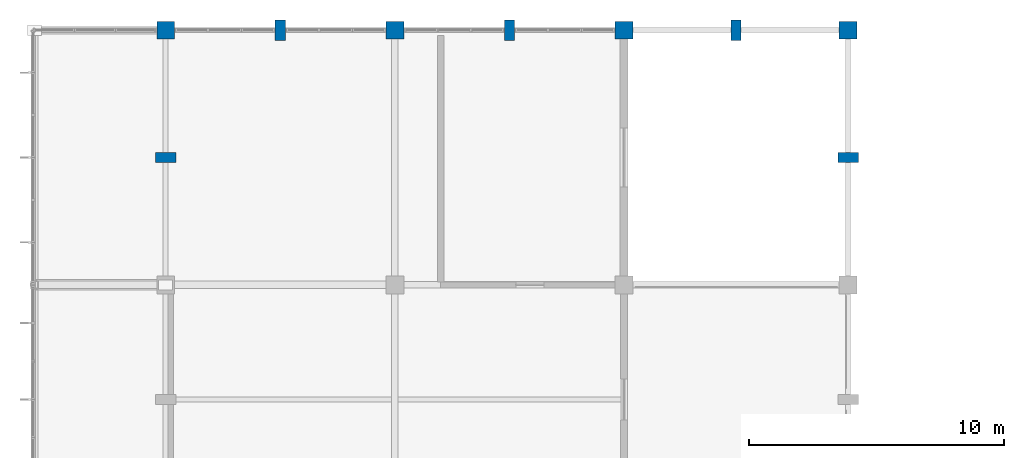
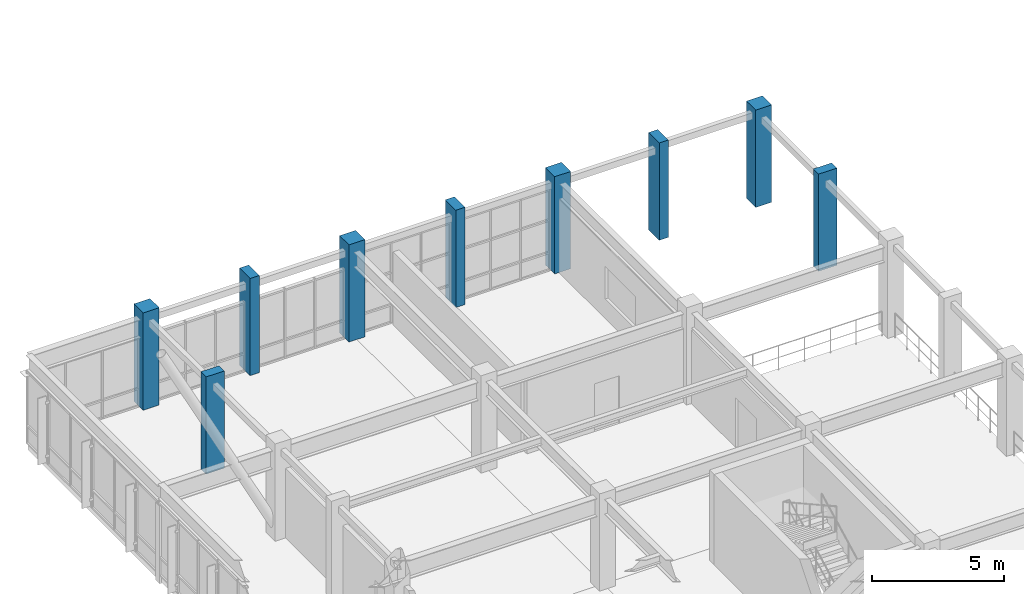
# One storey, part 5 of 55: 9 columns.
"""IFC4 building model written with IfcOpenShell, lengths in metres."""

from ifc_helpers import new_model, si_unit, direction, frame, origin, origin_2d, place, context, subcontext, project, spatial, rectangle, extrude, material, material_profile, profile_set, type_object, element, save


model = new_model("IFC4")

# Units and contexts
model_context = context("Model", 3, precision=1e-05, world=origin(), true_north=direction((0.0, 1.0)))
body_context = subcontext(model_context, "Body", "Model", "MODEL_VIEW")
ifc_project = project(units=[si_unit("LENGTHUNIT", "METRE"), si_unit("AREAUNIT", "SQUARE_METRE"), si_unit("VOLUMEUNIT", "CUBIC_METRE"), si_unit("PLANEANGLEUNIT", "RADIAN"), si_unit("MASSUNIT", "GRAM", prefix="KILO")], contexts=[model_context])

# Site, building, storey
site_placement = place(None, origin())
site = spatial("IfcSite", under=ifc_project, at=site_placement, CompositionType="ELEMENT")
building_placement = place(site_placement, origin())
building = spatial("IfcBuilding", under=site, at=building_placement, Name="Ventoquebrada Cableway Terminal", CompositionType="ELEMENT")
storey_placement = place(building_placement, frame((0.0, 0.0, 14.39990234375)))
storey = spatial("IfcBuildingStorey", under=building, at=storey_placement, Name="L03", CompositionType="ELEMENT", Elevation=14.39990234375)

# Columns
ifc_material = material(Name="Concrete C40/50", Category="concrete")
ifc_material_profile_1 = material_profile(ifc_material, rectangle(XDim=0.699951171875, YDim=0.699951171875, at=origin_2d()), Name="RC-COL-700X700")
ifc_profile_set_1 = profile_set([ifc_material_profile_1], Name="Concrete C40/50")
column_type_1 = type_object("IfcColumnType", Name="COL-RC04", PredefinedType="COLUMN", material=ifc_profile_set_1)
for number, where, z_axis, x_axis, name in (
    (1, (8.199951171875, 114.0, 0.0), (0.0, 0.0, 1.0), (1.0, 0.0, 0.0), "Structural column FC-0213"),
    (2, (17.199951171875, 114.0, 0.0), (0.0, 0.0, 1.0), (1.0, 0.0, 0.0), "Structural column FC-0253"),
    (3, (26.199951171875, 114.0, 0.0), (0.0, 0.0, 1.0), (1.0, 0.0, 0.0), "Structural column FC-0293"),
    (4, (35.0, 114.0, 0.0), (0.0, 0.0, 1.0), (1.0, 0.0, 0.0), "Structural column FC-0325"),
):
    element("IfcColumn", number, at=place(storey_placement, frame(where, z_axis=z_axis, x_axis=x_axis)), inside=storey, type_object=column_type_1, Name=name, PredefinedType="COLUMN", context=body_context, shape_type="SweptSolid", body=[
        extrude(rectangle(XDim=0.699951171875, YDim=0.699951171875, at=origin_2d()), origin(), (0.0, 0.0, 1.0), 4.5),
    ])
ifc_material_profile_2 = material_profile(ifc_material, rectangle(XDim=0.39990234375, YDim=0.800048828125, at=origin_2d()), Name="RC-PIL-400X800")
ifc_profile_set_2 = profile_set([ifc_material_profile_2], Name="Concrete C40/50")
column_type_2 = type_object("IfcColumnType", Name="PIL-RC01", PredefinedType="PILASTER", material=ifc_profile_set_2)
for number, where, z_axis, x_axis, name in (
    (5, (12.699951171875, 114.0, 0.0), (0.0, 0.0, 1.0), (1.0, 0.0, 0.0), "Facade pilaster FPL-0339"),
    (6, (21.699951171875, 114.0, 0.0), (0.0, 0.0, 1.0), (1.0, 0.0, 0.0), "Facade pilaster FPL-0344"),
    (7, (30.60009765625, 114.0, 0.0), (0.0, 0.0, 1.0), (1.0, 0.0, 0.0), "Facade pilaster FPL-0349"),
    (8, (8.199951171875, 109.0, 0.0), (0.0, 0.0, 1.0), (0.0, 1.0, 0.0), "Facade pilaster FPL-0379"),
    (9, (35.0, 109.0, 0.0), (0.0, 0.0, 1.0), (0.0, 1.0, 0.0), "Facade pilaster FPL-0403"),
):
    element("IfcColumn", number, at=place(storey_placement, frame(where, z_axis=z_axis, x_axis=x_axis)), inside=storey, type_object=column_type_2, Name=name, PredefinedType="PILASTER", context=body_context, shape_type="SweptSolid", body=[
        extrude(rectangle(XDim=0.39990234375, YDim=0.800048828125, at=origin_2d()), origin(), (0.0, 0.0, 1.0), 4.5),
    ])

save(model, "model.ifc")
